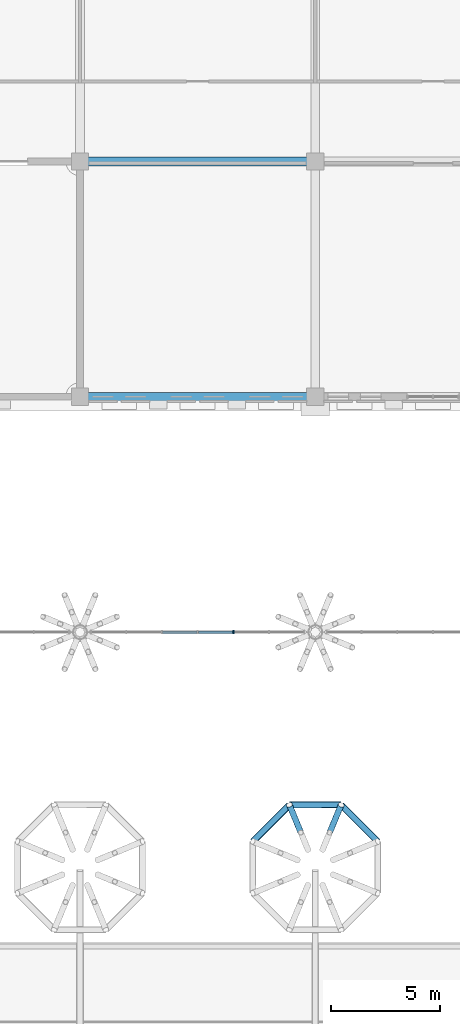
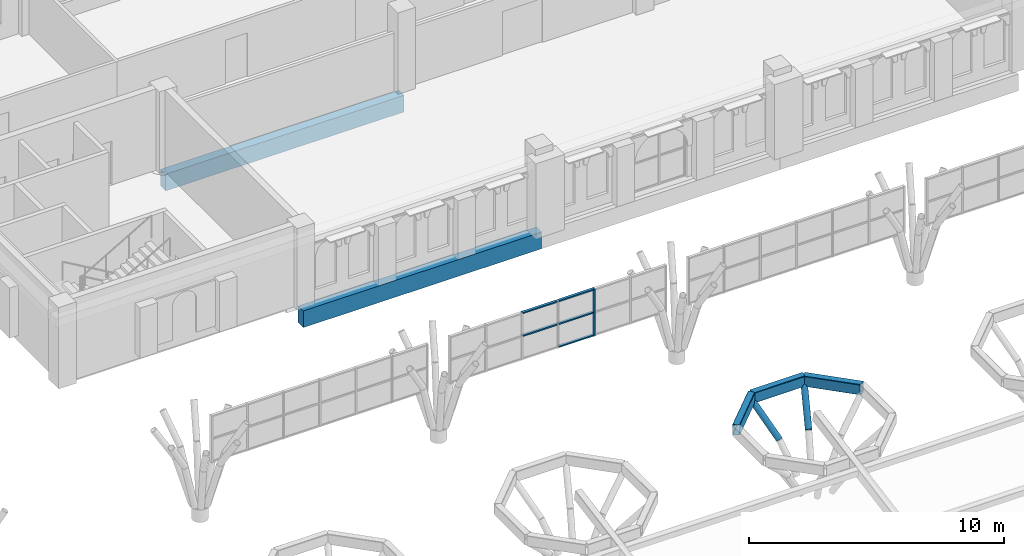
# One storey, part 8 of 42: 8 members, 5 beams, 1 element without a shape of its own.
"""IFC4 building model written with IfcOpenShell, lengths in metres."""

from ifc_helpers import new_model, si_unit, direction, frame, origin, origin_2d, place, context, subcontext, project, spatial, rectangle, hollow_rectangle, hollow_circle, extrude, clip, halfspace, material, layer, layer_set, material_profile, profile_set, type_object, element, aggregate, save


model = new_model("IFC4")

# Units and contexts
model_context = context("Model", 3, precision=1e-05, world=origin(), true_north=direction((0.0, 1.0)))
body_context = subcontext(model_context, "Body", "Model", "MODEL_VIEW")
ifc_project = project(units=[si_unit("LENGTHUNIT", "METRE"), si_unit("AREAUNIT", "SQUARE_METRE"), si_unit("VOLUMEUNIT", "CUBIC_METRE"), si_unit("PLANEANGLEUNIT", "RADIAN"), si_unit("MASSUNIT", "GRAM", prefix="KILO")], contexts=[model_context])

# Site, building, storey
site_placement = place(None, origin())
site = spatial("IfcSite", under=ifc_project, at=site_placement, CompositionType="ELEMENT")
building_placement = place(site_placement, origin())
building = spatial("IfcBuilding", under=site, at=building_placement, Name="Magnolia Steps Interchange", CompositionType="ELEMENT")
storey_placement = place(building_placement, frame((0.0, 0.0, 12.60009765625)))
storey = spatial("IfcBuildingStorey", under=building, at=storey_placement, Name="L03", CompositionType="ELEMENT", Elevation=12.60009765625)

# Curtain wall, members
ifc_material_1 = material(Name="Powder-coated aluminium and glass", Category="aluminium")
ifc_layer = layer(ifc_material_1, 0.1201171875)
ifc_layer_set = layer_set([ifc_layer], Name="Hall clerestory curtain wall")
curtain_wall_type = type_object("IfcCurtainWallType", Name="Hall clerestory curtain wall", PredefinedType="NOTDEFINED", material=ifc_layer_set)
curtain_wall_placement = place(storey_placement, origin())
curtain_wall = element("IfcCurtainWall", 1, at=curtain_wall_placement, inside=storey, type_object=curtain_wall_type, Name="Hall clerestory N3", PredefinedType="NOTDEFINED")
ifc_material_2 = material(Name="White powder-coated aluminium", Category="aluminium")
ifc_material_profile_1 = material_profile(ifc_material_2, rectangle(XDim=0.06005859375, YDim=0.14990234375, at=origin_2d()), Name="Aluminium mullion 60 x 150")
ifc_profile_set_1 = profile_set([ifc_material_profile_1], Name="White powder-coated aluminium")
member_type_1 = type_object("IfcMemberType", Name="Aluminium mullion 60 x 150", PredefinedType="MULLION", material=ifc_profile_set_1)
member_1_placement = place(storey_placement, frame((81.840087890625, 85.60009765625, 2.5), z_axis=(0.0, 0.0, 1.0), x_axis=(1.0, 0.0, 0.0)))
member_1 = element("IfcMember", 2, at=member_1_placement, type_object=member_type_1, Name="CW6 mullion 5", PredefinedType="MULLION", context=body_context, shape_type="SweptSolid", body=[
    extrude(rectangle(XDim=0.06005859375, YDim=0.14990234375, at=origin_2d()), origin(), (0.0, 0.0, 1.0), 2.251220703125),
])
ifc_material_3 = material(Name="White powder-coated aluminium", Category="aluminium")
ifc_material_profile_2 = material_profile(ifc_material_3, rectangle(XDim=0.06005859375, YDim=0.1201171875, at=origin_2d()), Name="Aluminium transom 60 x 120")
ifc_profile_set_2 = profile_set([ifc_material_profile_2], Name="White powder-coated aluminium")
member_type_2 = type_object("IfcMemberType", Name="Aluminium transom 60 x 120", PredefinedType="USERDEFINED", material=ifc_profile_set_2)
member_2_placement = place(storey_placement, frame((78.590087890625, 85.60009765625, 3.62548828125), z_axis=(1.0, 0.0, 0.0), x_axis=(0.0, 0.0, 1.0)))
member_2 = element("IfcMember", 3, at=member_2_placement, type_object=member_type_2, Name="CW6 transom 3.2", ObjectType="TRANSOM", PredefinedType="USERDEFINED", context=body_context, shape_type="SweptSolid", body=[
    extrude(rectangle(XDim=0.06005859375, YDim=0.1201171875, at=origin_2d()), origin(), (0.0, 0.0, 1.0), 1.579833984375),
])
member_3_placement = place(storey_placement, frame((78.590087890625, 85.60009765625, 4.72119140625), z_axis=(1.0, 0.0, 0.0), x_axis=(0.0, 0.0, 1.0)))
member_3 = element("IfcMember", 4, at=member_3_placement, type_object=member_type_2, Name="CW6 transom 3.3", ObjectType="TRANSOM", PredefinedType="USERDEFINED", context=body_context, shape_type="SweptSolid", body=[
    extrude(rectangle(XDim=0.06005859375, YDim=0.1201171875, at=origin_2d()), origin(), (0.0, 0.0, 1.0), 1.579833984375),
])
member_4_placement = place(storey_placement, frame((80.22998046875, 85.60009765625, 2.52978515625), z_axis=(1.0, 0.0, 0.0), x_axis=(0.0, 0.0, 1.0)))
member_4 = element("IfcMember", 5, at=member_4_placement, type_object=member_type_2, Name="CW6 transom 4.1", ObjectType="TRANSOM", PredefinedType="USERDEFINED", context=body_context, shape_type="SweptSolid", body=[
    extrude(rectangle(XDim=0.06005859375, YDim=0.1201171875, at=origin_2d()), origin(), (0.0, 0.0, 1.0), 1.580078125),
])
member_5_placement = place(storey_placement, frame((80.22998046875, 85.60009765625, 3.62548828125), z_axis=(1.0, 0.0, 0.0), x_axis=(0.0, 0.0, 1.0)))
member_5 = element("IfcMember", 6, at=member_5_placement, type_object=member_type_2, Name="CW6 transom 4.2", ObjectType="TRANSOM", PredefinedType="USERDEFINED", context=body_context, shape_type="SweptSolid", body=[
    extrude(rectangle(XDim=0.06005859375, YDim=0.1201171875, at=origin_2d()), origin(), (0.0, 0.0, 1.0), 1.580078125),
])
member_6_placement = place(storey_placement, frame((80.22998046875, 85.60009765625, 4.72119140625), z_axis=(1.0, 0.0, 0.0), x_axis=(0.0, 0.0, 1.0)))
member_6 = element("IfcMember", 7, at=member_6_placement, type_object=member_type_2, Name="CW6 transom 4.3", ObjectType="TRANSOM", PredefinedType="USERDEFINED", context=body_context, shape_type="SweptSolid", body=[
    extrude(rectangle(XDim=0.06005859375, YDim=0.1201171875, at=origin_2d()), origin(), (0.0, 0.0, 1.0), 1.580078125),
])
aggregate(curtain_wall, [member_1, member_2, member_3, member_4, member_5, member_6])

# Beams
ifc_material_4 = material(Name="Concrete C40", Category="concrete")
ifc_material_profile_3 = material_profile(ifc_material_4, rectangle(XDim=0.39990234375, YDim=0.800048828125, at=origin_2d()), Name="RC400x800")
ifc_profile_set_3 = profile_set([ifc_material_profile_3], Name="Concrete C40")
beam_type_1 = type_object("IfcBeamType", Name="RC beam 400x800", PredefinedType="BEAM", material=ifc_profile_set_3)
for number, where, z_axis, x_axis, name in (
    (8, (74.800048828125, 96.39990234375, -0.7001953125), (1.0, 0.0, 0.0), (0.0, 1.0, 0.0), "Beam L03 I 7-8"),
    (9, (74.800048828125, 107.199951171875, -0.7001953125), (1.0, 0.0, 0.0), (0.0, 1.0, 0.0), "Beam L03 J 7-8"),
):
    element("IfcBeam", number, at=place(storey_placement, frame(where, z_axis=z_axis, x_axis=x_axis)), inside=storey, type_object=beam_type_1, Name=name, PredefinedType="BEAM", context=body_context, shape_type="SweptSolid", body=[
        extrude(rectangle(XDim=0.39990234375, YDim=0.800048828125, at=origin_2d()), origin(), (0.0, 0.0, 1.0), 10.800048828125),
    ])
ifc_material_5 = material(Name="Steel Q355B", Category="steel")
ifc_material_profile_4 = material_profile(ifc_material_5, hollow_rectangle(XDim=0.300048828125, YDim=0.5, WallThickness=0.01611328125, InnerFilletRadius=0.01611328125, OuterFilletRadius=0.031982421875, at=origin_2d()), Name="RHS500x300x16")
ifc_profile_set_4 = profile_set([ifc_material_profile_4], Name="Steel Q355B")
beam_type_2 = type_object("IfcBeamType", Name="Ring beam RHS500x300x16", PredefinedType="BEAM", material=ifc_profile_set_4)
beam_1_placement = place(storey_placement, frame((88.464111328125, 75.986328125, 3.4755859375), z_axis=(-0.707106781187, 0.707106781187, 0.0), x_axis=(-0.707106781187, -0.707106781187, 0.0)))
element("IfcBeam", 10, at=beam_1_placement, inside=storey, type_object=beam_type_2, Name="Ring beam TH04D", PredefinedType="BEAM", context=body_context, shape_type="Clipping", body=[
    clip(clip(extrude(hollow_rectangle(XDim=0.300048828125, YDim=0.5, WallThickness=0.01611328125, InnerFilletRadius=0.01611328125, OuterFilletRadius=0.031982421875, at=origin_2d()), origin(), (0.0, 0.0, 1.0), 2.37255859375), halfspace(frame((0.0, 0.0, 0.0), z_axis=(0.382683433, 0.0, -0.923879532), x_axis=(0.923879532, 0.0, 0.382683433)), False)), halfspace(frame((0.0, 0.0, 2.372674707), z_axis=(0.382683433, 0.0, 0.923879532), x_axis=(0.923879532, 0.0, -0.382683433)), False)),
])
beam_2_placement = place(storey_placement, frame((86.786376953125, 77.6640625, 3.4755859375), z_axis=(-1.0, 0.0, 0.0), x_axis=(0.0, -1.0, 0.0)))
element("IfcBeam", 11, at=beam_2_placement, inside=storey, type_object=beam_type_2, Name="Ring beam TH04D", PredefinedType="BEAM", context=body_context, shape_type="Clipping", body=[
    clip(clip(extrude(hollow_rectangle(XDim=0.300048828125, YDim=0.5, WallThickness=0.01611328125, InnerFilletRadius=0.01611328125, OuterFilletRadius=0.031982421875, at=origin_2d()), origin(), (0.0, 0.0, 1.0), 2.37255859375), halfspace(frame((0.0, 0.0, 0.0), z_axis=(0.382683432, 0.0, -0.923879533), x_axis=(0.923879533, 0.0, 0.382683432)), False)), halfspace(frame((0.0, 0.0, 2.372558594), z_axis=(0.382683432, 0.0, 0.923879533), x_axis=(0.923879533, 0.0, -0.382683432)), False)),
])
beam_3_placement = place(storey_placement, frame((84.413818359375, 77.6640625, 3.4755859375), z_axis=(-0.707106781187, -0.707106781187, 0.0), x_axis=(0.707106781187, -0.707106781187, 0.0)))
element("IfcBeam", 12, at=beam_3_placement, inside=storey, type_object=beam_type_2, Name="Ring beam TH04D", PredefinedType="BEAM", context=body_context, shape_type="Clipping", body=[
    clip(clip(extrude(hollow_rectangle(XDim=0.300048828125, YDim=0.5, WallThickness=0.01611328125, InnerFilletRadius=0.01611328125, OuterFilletRadius=0.031982421875, at=origin_2d()), origin(), (0.0, 0.0, 1.0), 2.37255859375), halfspace(frame((0.0, 0.0, 0.0), z_axis=(0.382683433, 0.0, -0.923879532), x_axis=(0.923879532, 0.0, 0.382683433)), False)), halfspace(frame((0.0, 0.0, 2.372674707), z_axis=(0.382683433, 0.0, 0.923879532), x_axis=(0.923879532, 0.0, -0.382683433)), False)),
])

# Members
ifc_material_6 = material(Name="Steel Q355B", Category="steel")
ifc_material_profile_5 = material_profile(ifc_material_6, hollow_circle(Radius=0.136474609375, WallThickness=0.013916015625, at=origin_2d()), Name="CHS273x14")
ifc_profile_set_5 = profile_set([ifc_material_profile_5], Name="Steel Q355B")
member_type_3 = type_object("IfcMemberType", Name="Tree rib CHS273x14", PredefinedType="USERDEFINED", material=ifc_profile_set_5)
member_7_placement = place(storey_placement, frame((86.26123046875, 76.396484375, 2.00048828125), z_axis=(0.275326110485, 0.664571439163, 0.694651232731), x_axis=(-0.923854165929, 0.382744666971, 0.0)))
element("IfcMember", 13, at=member_7_placement, inside=storey, type_object=member_type_3, Name="Tree rib TH04D", ObjectType="TREE RIB", PredefinedType="USERDEFINED", context=body_context, shape_type="SweptSolid", body=[
    extrude(hollow_circle(Radius=0.136474609375, WallThickness=0.013916015625, at=origin_2d()), origin(), (0.0, 0.0, 1.0), 1.907470703125),
])
member_8_placement = place(storey_placement, frame((84.938720703125, 76.396484375, 2.00048828125), z_axis=(-0.275207808016, 0.664594855451, 0.694675708885), x_axis=(-0.923917076656, -0.382592780202, 0.0)))
element("IfcMember", 14, at=member_8_placement, inside=storey, type_object=member_type_3, Name="Tree rib TH04D", ObjectType="TREE RIB", PredefinedType="USERDEFINED", context=body_context, shape_type="SweptSolid", body=[
    extrude(hollow_circle(Radius=0.136474609375, WallThickness=0.013916015625, at=origin_2d()), origin(), (0.0, 0.0, 1.0), 1.9072265625),
])

save(model, "model.ifc")
